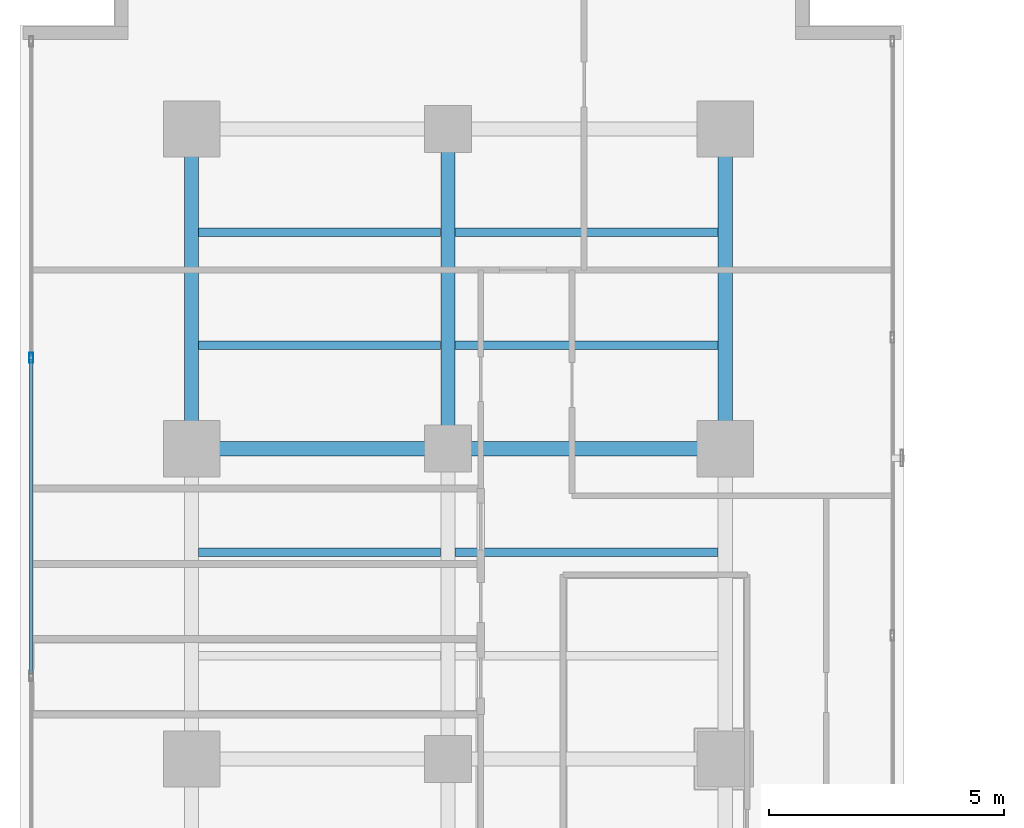
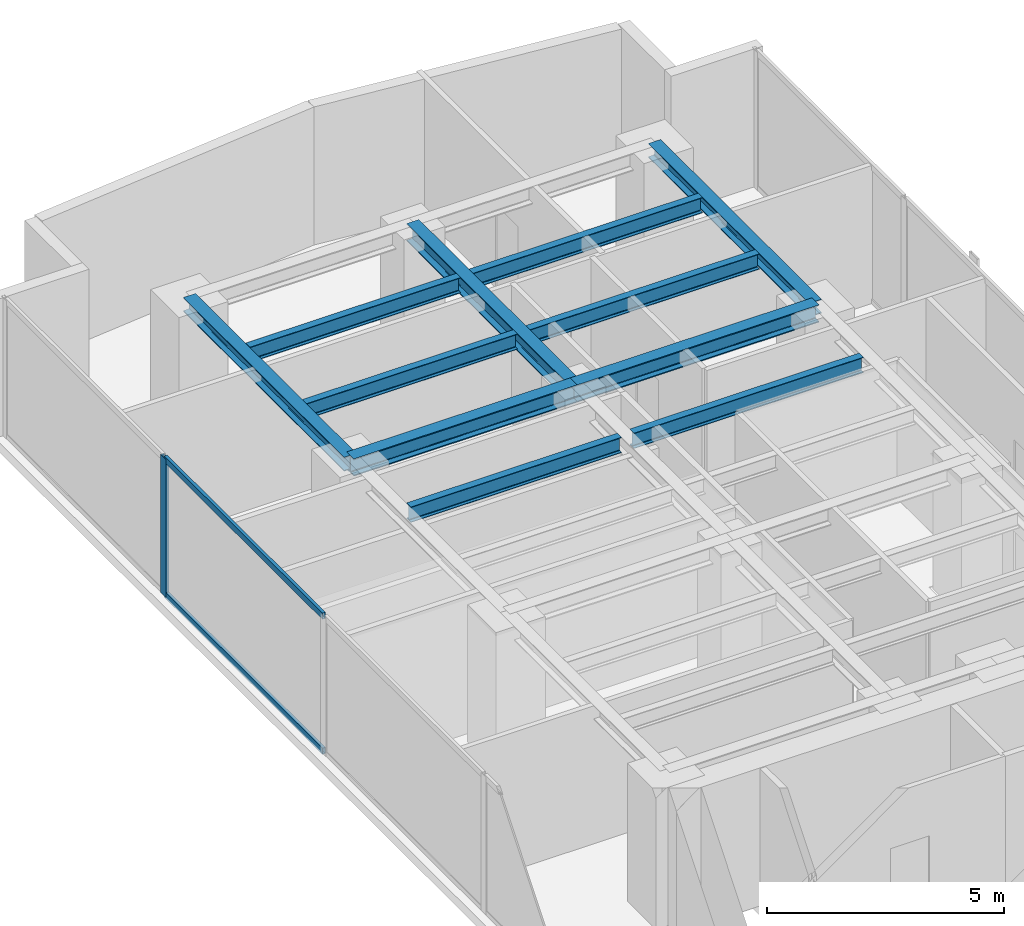
# One storey, part 15 of 24: 11 beams, 3 members, 1 element without a shape of its own.
"""IFC4 building model written with IfcOpenShell, lengths in metres."""

from ifc_helpers import new_model, si_unit, direction, frame, origin, origin_with_axes, origin_2d, place, context, subcontext, project, spatial, hollow_rectangle, i_section, extrude, source, transform, mapped, material, layer, layer_set, material_profile, profile_set, type_object, element, aggregate, save


model = new_model("IFC4")

# Units and contexts
model_context = context("Model", 3, precision=1e-05, world=origin(), true_north=direction((0.0, 1.0)))
body_context = subcontext(model_context, "Body", "Model", "MODEL_VIEW")
ifc_project = project(units=[si_unit("LENGTHUNIT", "METRE"), si_unit("AREAUNIT", "SQUARE_METRE"), si_unit("VOLUMEUNIT", "CUBIC_METRE"), si_unit("PLANEANGLEUNIT", "RADIAN"), si_unit("MASSUNIT", "GRAM", prefix="KILO")], contexts=[model_context])

# Site, building, storey
site_placement = place(None, origin())
site = spatial("IfcSite", under=ifc_project, at=site_placement, CompositionType="ELEMENT")
building_placement = place(site_placement, origin())
building = spatial("IfcBuilding", under=site, at=building_placement, Name="Kolvaren Waterfront Exchange", CompositionType="ELEMENT")
storey_placement = place(building_placement, frame((0.0, 0.0, 157.60009765625)))
storey = spatial("IfcBuildingStorey", under=building, at=storey_placement, Name="L40", CompositionType="ELEMENT", Elevation=157.60009765625)

# Beams
ifc_material_1 = material(Name="Steel S355", Category="steel")
ifc_material_profile_1 = material_profile(ifc_material_1, i_section(OverallWidth=0.300048828125, OverallDepth=0.360107421875, WebThickness=0.012451171875, FlangeThickness=0.0224609375, FilletRadius=0.027099609375, at=origin_2d()), Name="HEB360")
ifc_profile_set_1 = profile_set([ifc_material_profile_1], Name="Steel S355")
beam_type_1 = type_object("IfcBeamType", Name="STR-BM-HEB360", PredefinedType="SPANDREL", material=ifc_profile_set_1)
for number, where, z_axis, x_axis, name in (
    (1, (7.449951171875, 37.800048828125, 3.3798828125), (0.0, 1.0, 0.0), (-1.0, 0.0, 0.0), "L40 north-arm edge beam 3"),
    (2, (18.800048828125, 37.800048828125, 3.3798828125), (0.0, 1.0, 0.0), (-1.0, 0.0, 0.0), "L40 north-arm edge beam 3"),
):
    element("IfcBeam", number, at=place(storey_placement, frame(where, z_axis=z_axis, x_axis=x_axis)), inside=storey, type_object=beam_type_1, Name=name, PredefinedType="SPANDREL", context=body_context, shape_type="SweptSolid", body=[
        extrude(i_section(OverallWidth=0.300048828125, OverallDepth=0.360107421875, WebThickness=0.012451171875, FlangeThickness=0.0224609375, FilletRadius=0.027099609375, at=origin_2d()), origin(), (0.0, 0.0, 1.0), 6.800048828125),
    ])
ifc_material_profile_2 = material_profile(ifc_material_1, i_section(OverallWidth=0.300048828125, OverallDepth=0.449951171875, WebThickness=0.013916015625, FlangeThickness=0.02587890625, FilletRadius=0.027099609375, at=origin_2d()), Name="HEB450")
ifc_profile_set_2 = profile_set([ifc_material_profile_2], Name="Steel S355")
beam_type_2 = type_object("IfcBeamType", Name="STR-BM-HEB450", PredefinedType="BEAM", material=ifc_profile_set_2)
beam_1_placement = place(storey_placement, frame((7.449951171875, 37.800048828125, 3.3349609375), z_axis=(1.0, 0.0, 0.0), x_axis=(0.0, 1.0, 0.0)))
element("IfcBeam", 3, at=beam_1_placement, inside=storey, type_object=beam_type_2, Name="L40 north-arm girder 3A", PredefinedType="BEAM", context=body_context, shape_type="SweptSolid", body=[
    extrude(i_section(OverallWidth=0.300048828125, OverallDepth=0.449951171875, WebThickness=0.013916015625, FlangeThickness=0.02587890625, FilletRadius=0.027099609375, at=origin_2d()), origin(), (0.0, 0.0, 1.0), 5.449951171875),
])
beam_2_placement = place(storey_placement, frame((12.89990234375, 37.800048828125, 3.3349609375), z_axis=(1.0, 0.0, 0.0), x_axis=(0.0, 1.0, 0.0)))
element("IfcBeam", 4, at=beam_2_placement, inside=storey, type_object=beam_type_2, Name="L40 north-arm girder 3B", PredefinedType="BEAM", context=body_context, shape_type="SweptSolid", body=[
    extrude(i_section(OverallWidth=0.300048828125, OverallDepth=0.449951171875, WebThickness=0.013916015625, FlangeThickness=0.02587890625, FilletRadius=0.027099609375, at=origin_2d()), origin(), (0.0, 0.0, 1.0), 5.900146484375),
])
beam_3_placement = place(storey_placement, frame((12.89990234375, 37.800048828125, 3.3349609375), z_axis=(0.0, 1.0, 0.0), x_axis=(-1.0, 0.0, 0.0)))
element("IfcBeam", 5, at=beam_3_placement, inside=storey, type_object=beam_type_2, Name="L40 north-arm edge beam 3", PredefinedType="BEAM", context=body_context, shape_type="SweptSolid", body=[
    extrude(i_section(OverallWidth=0.300048828125, OverallDepth=0.449951171875, WebThickness=0.013916015625, FlangeThickness=0.02587890625, FilletRadius=0.027099609375, at=origin_2d()), origin(), (0.0, 0.0, 1.0), 6.800048828125),
])
ifc_material_profile_3 = material_profile(ifc_material_1, i_section(OverallWidth=0.179931640625, OverallDepth=0.39990234375, WebThickness=0.008544921875, FlangeThickness=0.013427734375, FilletRadius=0.02099609375, at=origin_2d()), Name="IPE400")
ifc_profile_set_3 = profile_set([ifc_material_profile_3], Name="Steel S355")
beam_type_3 = type_object("IfcBeamType", Name="STR-BM-IPE400", PredefinedType="JOIST", material=ifc_profile_set_3)
beam_4_placement = place(storey_placement, frame((7.60205078125, 35.60009765625, 3.35986328125), z_axis=(1.0, 0.0, 0.0), x_axis=(0.0, 1.0, 0.0)))
element("IfcBeam", 6, at=beam_4_placement, inside=storey, type_object=beam_type_3, Name="L40 north-arm composite joist 4A", PredefinedType="JOIST", context=body_context, shape_type="SweptSolid", body=[
    extrude(i_section(OverallWidth=0.179931640625, OverallDepth=0.39990234375, WebThickness=0.008544921875, FlangeThickness=0.013427734375, FilletRadius=0.02099609375, at=origin_2d()), origin(), (0.0, 0.0, 1.0), 5.14599609375),
])
beam_5_placement = place(storey_placement, frame((13.052001953125, 35.60009765625, 3.35986328125), z_axis=(1.0, 0.0, 0.0), x_axis=(0.0, 1.0, 0.0)))
element("IfcBeam", 7, at=beam_5_placement, inside=storey, type_object=beam_type_3, Name="L40 north-arm composite joist 4B", PredefinedType="JOIST", context=body_context, shape_type="SweptSolid", body=[
    extrude(i_section(OverallWidth=0.179931640625, OverallDepth=0.39990234375, WebThickness=0.008544921875, FlangeThickness=0.013427734375, FilletRadius=0.02099609375, at=origin_2d()), origin(), (0.0, 0.0, 1.0), 5.595947265625),
])
beam_6_placement = place(storey_placement, frame((7.60205078125, 40.0, 3.35986328125), z_axis=(1.0, 0.0, 0.0), x_axis=(0.0, 1.0, 0.0)))
element("IfcBeam", 8, at=beam_6_placement, inside=storey, type_object=beam_type_3, Name="L40 north-arm composite joist 5A", PredefinedType="JOIST", context=body_context, shape_type="SweptSolid", body=[
    extrude(i_section(OverallWidth=0.179931640625, OverallDepth=0.39990234375, WebThickness=0.008544921875, FlangeThickness=0.013427734375, FilletRadius=0.02099609375, at=origin_2d()), origin(), (0.0, 0.0, 1.0), 5.14599609375),
])
beam_7_placement = place(storey_placement, frame((13.052001953125, 40.0, 3.35986328125), z_axis=(1.0, 0.0, 0.0), x_axis=(0.0, 1.0, 0.0)))
element("IfcBeam", 9, at=beam_7_placement, inside=storey, type_object=beam_type_3, Name="L40 north-arm composite joist 5B", PredefinedType="JOIST", context=body_context, shape_type="SweptSolid", body=[
    extrude(i_section(OverallWidth=0.179931640625, OverallDepth=0.39990234375, WebThickness=0.008544921875, FlangeThickness=0.013427734375, FilletRadius=0.02099609375, at=origin_2d()), origin(), (0.0, 0.0, 1.0), 5.595947265625),
])
beam_8_placement = place(storey_placement, frame((7.60205078125, 42.39990234375, 3.35986328125), z_axis=(1.0, 0.0, 0.0), x_axis=(0.0, 1.0, 0.0)))
element("IfcBeam", 10, at=beam_8_placement, inside=storey, type_object=beam_type_3, Name="L40 north-arm composite joist 6A", PredefinedType="JOIST", context=body_context, shape_type="SweptSolid", body=[
    extrude(i_section(OverallWidth=0.179931640625, OverallDepth=0.39990234375, WebThickness=0.008544921875, FlangeThickness=0.013427734375, FilletRadius=0.02099609375, at=origin_2d()), origin(), (0.0, 0.0, 1.0), 5.14599609375),
])
beam_9_placement = place(storey_placement, frame((13.052001953125, 42.39990234375, 3.35986328125), z_axis=(1.0, 0.0, 0.0), x_axis=(0.0, 1.0, 0.0)))
element("IfcBeam", 11, at=beam_9_placement, inside=storey, type_object=beam_type_3, Name="L40 north-arm composite joist 6B", PredefinedType="JOIST", context=body_context, shape_type="SweptSolid", body=[
    extrude(i_section(OverallWidth=0.179931640625, OverallDepth=0.39990234375, WebThickness=0.008544921875, FlangeThickness=0.013427734375, FilletRadius=0.02099609375, at=origin_2d()), origin(), (0.0, 0.0, 1.0), 5.595947265625),
])

# Curtain wall, members
ifc_material_2 = material(Name="Anodised aluminium 6063-T6", Category="aluminium")
ifc_layer = layer(ifc_material_2, 0.219970703125, Name="Anodised aluminium 6063-T6")
ifc_layer_set = layer_set([ifc_layer], Name="Anodised aluminium 6063-T6")
curtain_wall_type = type_object("IfcCurtainWallType", Name="ARC-CW-SYS2", PredefinedType="USERDEFINED", material=ifc_layer_set)
curtain_wall_placement = place(storey_placement, origin())
curtain_wall = element("IfcCurtainWall", 12, at=curtain_wall_placement, inside=storey, type_object=curtain_wall_type, Name="L40 stick curtain wall CW2 (CW-L40-W)", ObjectType="STICK CURTAIN WALL", PredefinedType="USERDEFINED")
ifc_material_profile_4 = material_profile(ifc_material_2, hollow_rectangle(XDim=0.074951171875, YDim=0.159912109375, WallThickness=0.00439453125, at=origin_2d()), Name="ALU-TRN-160x75x4.5")
ifc_profile_set_4 = profile_set([ifc_material_profile_4], Name="Anodised aluminium 6063-T6")
member_type_1 = type_object("IfcMemberType", Name="ARC-CWT-160", PredefinedType="USERDEFINED", material=ifc_profile_set_4)
shared_shape_1 = source(origin_with_axes(), body_context, "Body", "SweptSolid", [
    extrude(hollow_rectangle(XDim=0.074951171875, YDim=0.159912109375, WallThickness=0.00439453125, at=origin_2d()), origin(), (0.0, 0.0, 1.0), 6.686767578125),
])
member_1_placement = place(storey_placement, frame((4.0400390625, 33.006591796875, 0.037353515625), z_axis=(0.0, 1.0, 0.0), x_axis=(-1.0, 0.0, 0.0)))
member_1 = element("IfcMember", 13, at=member_1_placement, type_object=member_type_1, Name="CW2 transom 5.1", ObjectType="TRANSOM", PredefinedType="USERDEFINED", context=body_context, shape_type="MappedRepresentation", body=[
    mapped(shared_shape_1, transform((0.0, 0.0, 0.0), x_axis=(1.0, 0.0, 0.0), y_axis=(0.0, 1.0, 0.0), z_axis=(0.0, 0.0, 1.0), scale=1.0)),
])
member_2_placement = place(storey_placement, frame((4.0400390625, 33.006591796875, 3.5224609375), z_axis=(0.0, 1.0, 0.0), x_axis=(-1.0, 0.0, 0.0)))
member_2 = element("IfcMember", 14, at=member_2_placement, type_object=member_type_1, Name="CW2 transom 5.2", ObjectType="TRANSOM", PredefinedType="USERDEFINED", context=body_context, shape_type="MappedRepresentation", body=[
    mapped(shared_shape_1, transform((0.0, 0.0, 0.0), x_axis=(1.0, 0.0, 0.0), y_axis=(0.0, 1.0, 0.0), z_axis=(0.0, 0.0, 1.0), scale=1.0)),
])
ifc_material_profile_5 = material_profile(ifc_material_2, hollow_rectangle(XDim=0.080078125, YDim=0.219970703125, WallThickness=0.0048828125, at=origin_2d()), Name="ALU-MUL-220x80x5")
ifc_profile_set_5 = profile_set([ifc_material_profile_5], Name="Anodised aluminium 6063-T6")
member_type_2 = type_object("IfcMemberType", Name="ARC-CWM-220", PredefinedType="MULLION", material=ifc_profile_set_5)
shared_shape_2 = source(origin_with_axes(), body_context, "Body", "SweptSolid", [
    extrude(hollow_rectangle(XDim=0.080078125, YDim=0.219970703125, WallThickness=0.0048828125, at=origin_2d()), origin(), (0.0, 0.0, 1.0), 3.559814453125),
])
member_3_placement = place(storey_placement, frame((4.0400390625, 39.7333984375, 0.0), z_axis=(0.0, 0.0, 1.0), x_axis=(-1.0, 0.0, 0.0)))
member_3 = element("IfcMember", 15, at=member_3_placement, type_object=member_type_2, Name="CW2 mullion 6", PredefinedType="MULLION", context=body_context, shape_type="MappedRepresentation", body=[
    mapped(shared_shape_2, transform((0.0, 0.0, 0.0), x_axis=(1.0, 0.0, 0.0), y_axis=(0.0, 1.0, 0.0), z_axis=(0.0, 0.0, 1.0), scale=1.0)),
])
aggregate(curtain_wall, [member_3, member_1, member_2])

save(model, "model.ifc")
